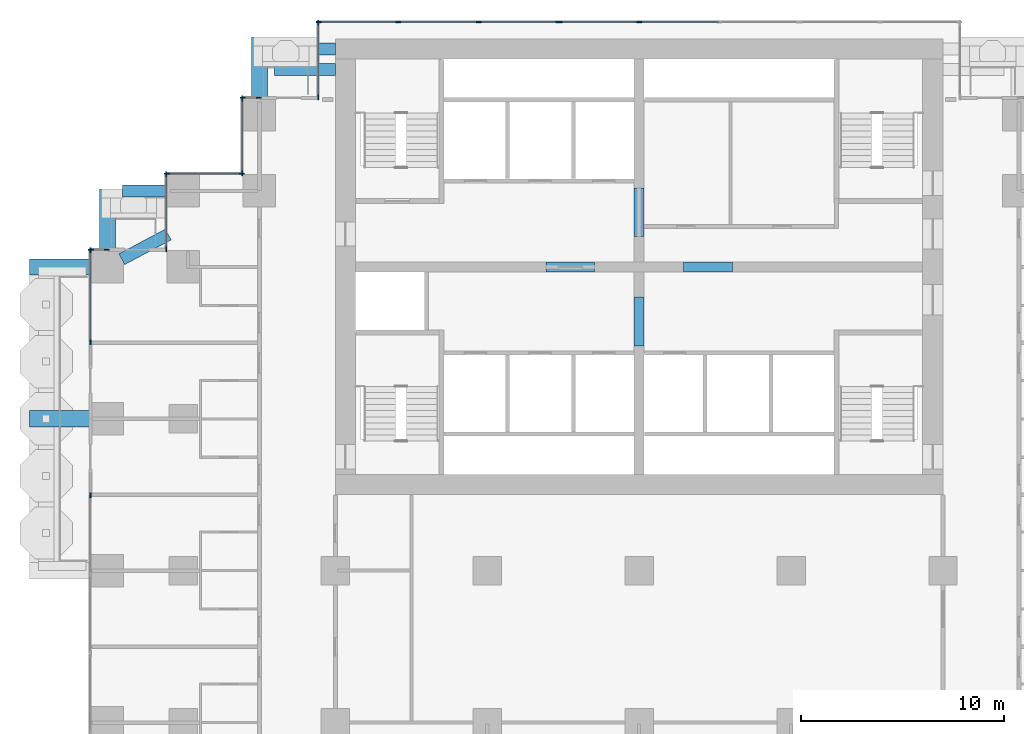
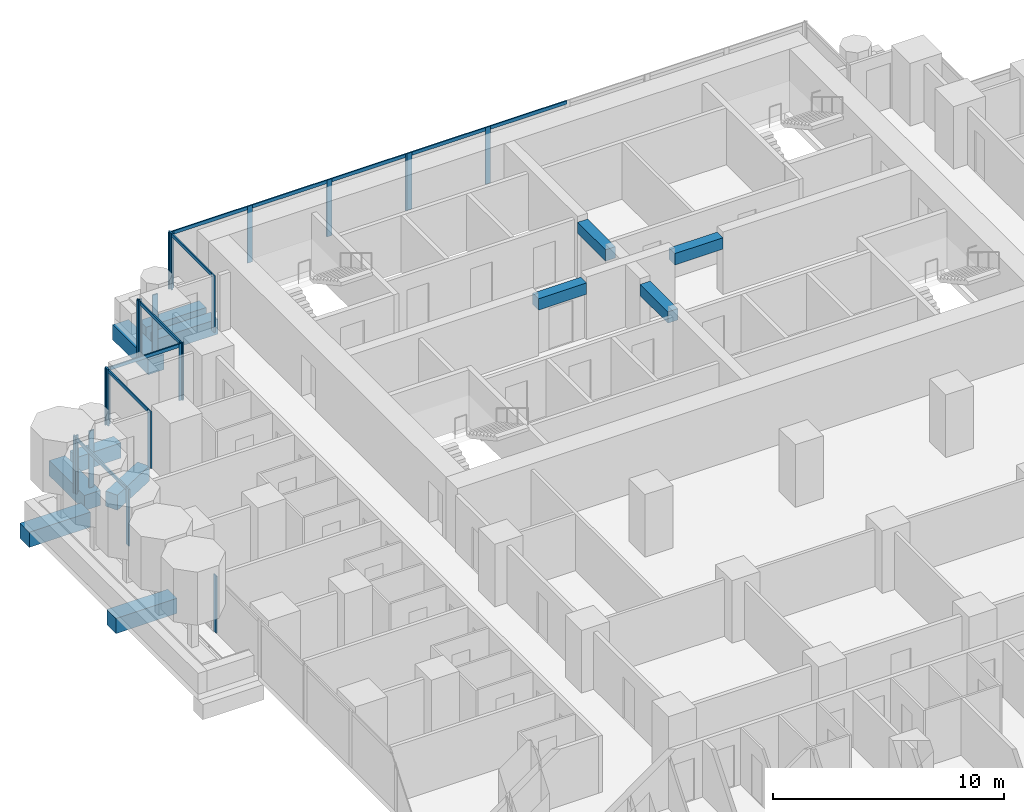
# One storey, part 4 of 18: 31 members, 12 beams, 10 elements without a shape of their own.
"""IFC4 building model written with IfcOpenShell, lengths in metres."""

import ifcopenshell
import ifcopenshell.guid

model = None  # the IFC model being written
_history = None  # IfcOwnerHistory: only IFC2X3 demands one
_inside = {}  # id of a spatial element -> (the spatial element, [elements in it])
_under = {}  # id of a project, library or spatial element -> (it, [spatial elements below it])
_declared = {}  # id of a project -> (the project, [libraries it declares])
_typed = {}  # id of a type object -> (the type object, [elements of that type])
_made_of = {}  # id of a material, layer set ... -> (it, [elements and type objects made of it])


def new_model(schema):
    """Start an empty IFC model of exactly this schema.

    Asked for "IFC4X3", IfcOpenShell would pick the latest addendum, in which some entities
    have other attributes; the version numbers below select the first issue.
    IFC2X3 requires an IfcOwnerHistory on every rooted entity: one is made here for all.
    """
    global model, _history
    if schema == "IFC4X3":
        model = ifcopenshell.file(schema_version=(4, 3, 0, 0))
    else:
        model = ifcopenshell.file(schema=schema)
    _inside.clear()
    _under.clear()
    _declared.clear()
    _typed.clear()
    _made_of.clear()
    _history = None
    if model.schema == "IFC2X3":
        org = make("IfcOrganization", Name="unknown")
        user = make(
            "IfcPersonAndOrganization",
            ThePerson=make("IfcPerson", FamilyName="unknown"),
            TheOrganization=org,
        )
        app = make(
            "IfcApplication",
            ApplicationDeveloper=org,
            Version="unknown",
            ApplicationFullName="unknown",
            ApplicationIdentifier="unknown",
        )
        _history = make(
            "IfcOwnerHistory",
            OwningUser=user,
            OwningApplication=app,
            ChangeAction="ADDED",
            CreationDate=0,
        )
    return model


def make(cls, **values):
    """One entity of the class cls with the attributes given. An attribute that is None is left unset."""
    return model.create_entity(
        cls, **{name: value for name, value in values.items() if value is not None}
    )


def rooted(cls, **values):
    """An entity with a GlobalId (a new one), such as an element, a storey or a relation."""
    return make(cls, GlobalId=ifcopenshell.guid.new(), OwnerHistory=_history, **values)


def si_unit(unit_type, name, prefix=None):
    """IfcSIUnit, for example si_unit("LENGTHUNIT", "METRE", prefix="MILLI")."""
    return make("IfcSIUnit", UnitType=unit_type, Prefix=prefix, Name=name)


def assignment(units):
    """IfcUnitAssignment: the units of a project."""
    return None if units is None else make("IfcUnitAssignment", Units=units)


def point(xyz):
    """IfcCartesianPoint."""
    return None if xyz is None else make("IfcCartesianPoint", Coordinates=xyz)


def direction(xyz):
    """IfcDirection."""
    return None if xyz is None else make("IfcDirection", DirectionRatios=xyz)


def frame(location, z_axis=None, x_axis=None):
    """IfcAxis2Placement3D, a coordinate frame: its origin and axes. An axis left out is left unset."""
    return make(
        "IfcAxis2Placement3D",
        Location=point(location),
        Axis=direction(z_axis),
        RefDirection=direction(x_axis),
    )


def frame_2d(location, x_axis=None):
    """IfcAxis2Placement2D, a coordinate frame in the plane: its origin and x axis."""
    return make(
        "IfcAxis2Placement2D", Location=point(location), RefDirection=direction(x_axis)
    )


def origin():
    """The frame at (0, 0, 0) with its axes left unset."""
    return frame((0.0, 0.0, 0.0))


def origin_2d():
    """The frame at (0, 0) in the plane with its x axis left unset."""
    return frame_2d((0.0, 0.0))


def place(relative_to, where):
    """IfcLocalPlacement: puts the frame where relative to a parent placement (None: the world)."""
    return make(
        "IfcLocalPlacement", PlacementRelTo=relative_to, RelativePlacement=where
    )


def context(
    kind, dimensions, precision=None, world=None, true_north=None, identifier=None
):
    """IfcGeometricRepresentationContext, for example the 3D "Model" context."""
    return make(
        "IfcGeometricRepresentationContext",
        ContextIdentifier=identifier,
        ContextType=kind,
        CoordinateSpaceDimension=dimensions,
        Precision=precision,
        WorldCoordinateSystem=world,
        TrueNorth=true_north,
    )


def subcontext(parent, identifier, kind, view, scale=None):
    """IfcGeometricRepresentationSubContext, for example "Body" below "Model"."""
    return make(
        "IfcGeometricRepresentationSubContext",
        ContextIdentifier=identifier,
        ContextType=kind,
        ParentContext=parent,
        TargetScale=scale,
        TargetView=view,
    )


def project(units=None, contexts=None):
    """IfcProject with its units and contexts."""
    return rooted(
        "IfcProject",
        Name="project",
        RepresentationContexts=contexts,
        UnitsInContext=assignment(units),
    )


def spatial(cls, under=None, at=None, **own):
    """A site, building, storey or space (cls), placed at a placement, below another one or the project."""
    s = rooted(cls, ObjectPlacement=at, **own)
    if under is not None:
        _under.setdefault(under.id(), (under, []))[1].append(s)
    return s


def profile(cls, at=None, kind="AREA", **sizes):
    """A parametric profile (cls). Its sizes go by their IFC names, for example OverallWidth=200.0."""
    return make(cls, ProfileType=kind, Position=at, **sizes)


def rectangle(**sizes):
    """IfcRectangleProfileDef."""
    return profile("IfcRectangleProfileDef", **sizes)


def extrude(swept, where, along, depth):
    """IfcExtrudedAreaSolid: the profile swept, set in the frame where, extruded along a direction by depth."""
    return make(
        "IfcExtrudedAreaSolid",
        SweptArea=swept,
        Position=where,
        ExtrudedDirection=direction(along),
        Depth=depth,
    )


def shape(context_of_items, identifier, shape_type, items):
    """IfcShapeRepresentation: the items that make up one representation, for example the "Body"."""
    return make(
        "IfcShapeRepresentation",
        ContextOfItems=context_of_items,
        RepresentationIdentifier=identifier,
        RepresentationType=shape_type,
        Items=items,
    )


def material(Name=None, Category=None):
    """IfcMaterial."""
    return make("IfcMaterial", Name=Name, Category=Category)


def material_profile(
    of_material, cross_section, Name=None, Category=None, Priority=None
):
    """IfcMaterialProfile: a cross section and its material."""
    return make(
        "IfcMaterialProfile",
        Name=Name,
        Material=of_material,
        Profile=cross_section,
        Priority=Priority,
        Category=Category,
    )


def profile_set(profiles, Name=None, composite=None):
    """IfcMaterialProfileSet."""
    return make(
        "IfcMaterialProfileSet",
        Name=Name,
        MaterialProfiles=profiles,
        CompositeProfile=composite,
    )


def made_of(thing, what):
    """Note that an element or type object is made of a material, layer set ...; save() writes the relation."""
    if what is not None:
        _made_of.setdefault(what.id(), (what, []))[1].append(thing)
    return thing


def type_object(cls, material=None, **own):
    """A type object (cls), such as IfcWallType, which elements share."""
    return made_of(rooted(cls, **own), material)


def element(
    cls,
    number,
    at=None,
    inside=None,
    cuts=None,
    type_object=None,
    material=None,
    context=None,
    identifier="Body",
    shape_type=None,
    held_by="IfcProductDefinitionShape",
    body=None,
    shapes=None,
    **own,
):
    """One element of the class cls, such as IfcWall. Its Tag is "e" and its number.

    at: its placement. inside: the storey or other place that contains it. cuts: it is an
    opening in that element (IfcRelVoidsElement). A single representation is given by context,
    identifier, shape_type and body (its items); several are given by shapes. held_by: the class
    of the entity that holds the representations. save() writes the other relations.
    """
    e = rooted(cls, Tag="e%d" % number, ObjectPlacement=at, **own)
    if body is not None:
        shapes = [shape(context, identifier, shape_type, body)]
    if shapes is not None:
        e.Representation = make(held_by, Representations=shapes)
    if inside is not None:
        _inside.setdefault(inside.id(), (inside, []))[1].append(e)
    if cuts is not None:
        rooted(
            "IfcRelVoidsElement", RelatingBuildingElement=cuts, RelatedOpeningElement=e
        )
    if type_object is not None:
        _typed.setdefault(type_object.id(), (type_object, []))[1].append(e)
    return made_of(e, material)


def aggregate(whole, parts):
    """IfcRelAggregates: a whole, such as a stair, and the parts it consists of."""
    return rooted("IfcRelAggregates", RelatingObject=whole, RelatedObjects=parts)


def save(model, path):
    """Write the relations noted so far, then the file.

    IfcRelAggregates (storeys below a building ...), IfcRelContainedInSpatialStructure (elements
    in a storey), IfcRelDefinesByType, IfcRelAssociatesMaterial and IfcRelDeclares: one each for
    every whole, place, type object, material and project.
    """
    for whole, parts in _under.values():
        aggregate(whole, parts)
    for where, things in _inside.values():
        rooted(
            "IfcRelContainedInSpatialStructure",
            RelatedElements=things,
            RelatingStructure=where,
        )
    for kind, things in _typed.values():
        rooted("IfcRelDefinesByType", RelatedObjects=things, RelatingType=kind)
    for what, things in _made_of.values():
        rooted("IfcRelAssociatesMaterial", RelatedObjects=things, RelatingMaterial=what)
    for by, libraries in _declared.values():
        rooted("IfcRelDeclares", RelatingContext=by, RelatedDefinitions=libraries)
    model.write(path)


model = new_model("IFC4")

# Units and contexts
model_context = context("Model", 3, precision=1e-05, world=origin(), true_north=direction((0.0, 1.0)))
body_context = subcontext(model_context, "Body", "Model", "MODEL_VIEW")
ifc_project = project(units=[si_unit("LENGTHUNIT", "METRE"), si_unit("AREAUNIT", "SQUARE_METRE"), si_unit("VOLUMEUNIT", "CUBIC_METRE"), si_unit("PLANEANGLEUNIT", "RADIAN"), si_unit("MASSUNIT", "GRAM", prefix="KILO")], contexts=[model_context])

# Site, building, storey
site_placement = place(None, origin())
site = spatial("IfcSite", under=ifc_project, at=site_placement, CompositionType="ELEMENT")
building_placement = place(site_placement, origin())
building = spatial("IfcBuilding", under=site, at=building_placement, Name="Pilkhan Gate Tower", CompositionType="ELEMENT")
storey_placement = place(building_placement, frame((0.0, 0.0, 42.800048828125)))
storey = spatial("IfcBuildingStorey", under=building, at=storey_placement, Name="L07", CompositionType="ELEMENT", Elevation=42.800048828125)

# Beams
ifc_material_1 = material(Name="Concrete C50/60", Category="concrete")
ifc_material_profile_1 = material_profile(ifc_material_1, rectangle(XDim=0.60009765625, YDim=0.800048828125, at=origin_2d()), Name="RC 600x800")
ifc_profile_set_1 = profile_set([ifc_material_profile_1], Name="Concrete C50/60")
beam_type_1 = type_object("IfcBeamType", Name="Cantilever beam CB1 RC 600x800 C50/60", PredefinedType="BEAM", material=ifc_profile_set_1)
for number, where, z_axis, x_axis, name in (
    (1, (60.0, 93.25, -0.699951171875), (-1.0, 0.0, 0.0), (0.0, -1.0, 0.0), "Balcony beam NW.2 L07"),
    (2, (60.0, 92.25, -0.699951171875), (-1.0, 0.0, 0.0), (0.0, -1.0, 0.0), "Balcony beam NW.3 L07"),
):
    element("IfcBeam", number, at=place(storey_placement, frame(where, z_axis=z_axis, x_axis=x_axis)), inside=storey, type_object=beam_type_1, Name=name, PredefinedType="BEAM", context=body_context, shape_type="SweptSolid", body=[
        extrude(rectangle(XDim=0.60009765625, YDim=0.800048828125, at=origin_2d()), origin(), (0.0, 0.0, 1.0), 3.0),
    ])
beam_1_placement = place(storey_placement, frame((51.699951171875, 86.25, -0.699951171875), z_axis=(-1.0, 0.0, 0.0), x_axis=(0.0, -1.0, 0.0)))
element("IfcBeam", 3, at=beam_1_placement, inside=storey, type_object=beam_type_1, Name="Balcony beam NW2.2 L07", PredefinedType="BEAM", context=body_context, shape_type="SweptSolid", body=[
    extrude(rectangle(XDim=0.60009765625, YDim=0.800048828125, at=origin_2d()), origin(), (0.0, 0.0, 1.0), 2.199951171875),
])
beam_2_placement = place(storey_placement, frame((49.455810546875, 82.87646484375, -0.699951171875), z_axis=(0.882342544151, 0.470607729199, 0.0), x_axis=(-0.470607729199, 0.882342544151, 0.0)))
element("IfcBeam", 4, at=beam_2_placement, inside=storey, type_object=beam_type_1, Name="Balcony beam NW2.3 L07", PredefinedType="BEAM", context=body_context, shape_type="SweptSolid", body=[
    extrude(rectangle(XDim=0.60009765625, YDim=0.800048828125, at=origin_2d()), origin(), (0.0, 0.0, 1.0), 2.60009765625),
])
ifc_material_profile_2 = material_profile(ifc_material_1, rectangle(XDim=0.800048828125, YDim=0.800048828125, at=origin_2d()), Name="RC 800x800")
ifc_profile_set_2 = profile_set([ifc_material_profile_2], Name="Concrete C50/60")
beam_type_2 = type_object("IfcBeamType", Name="Cantilever beam CB2 RC 800x800 C50/60", PredefinedType="BEAM", material=ifc_profile_set_2)
for number, where, z_axis, x_axis, name in (
    (5, (56.25, 90.800048828125, -0.699951171875), (0.0, 1.0, 0.0), (-1.0, 0.0, 0.0), "Balcony beam NW.1 L07"),
    (6, (48.75, 83.300048828125, -0.699951171875), (0.0, 1.0, 0.0), (-1.0, 0.0, 0.0), "Balcony beam NW2.1 L07"),
    (7, (47.949951171875, 75.0, -0.699951171875), (-1.0, 0.0, 0.0), (0.0, -1.0, 0.0), "Balcony beam W.2 L07"),
    (8, (47.949951171875, 82.5, -0.699951171875), (-1.0, 0.0, 0.0), (0.0, -1.0, 0.0), "Balcony beam W.3 L07"),
):
    element("IfcBeam", number, at=place(storey_placement, frame(where, z_axis=z_axis, x_axis=x_axis)), inside=storey, type_object=beam_type_2, Name=name, PredefinedType="BEAM", context=body_context, shape_type="SweptSolid", body=[
        extrude(rectangle(XDim=0.800048828125, YDim=0.800048828125, at=origin_2d()), origin(), (0.0, 0.0, 1.0), 3.050048828125),
    ])
ifc_material_2 = material(Name="Concrete C70/85", Category="concrete")
ifc_material_profile_3 = material_profile(ifc_material_2, rectangle(XDim=0.5, YDim=0.60009765625, at=origin_2d()), Name="RC 500x600")
ifc_profile_set_3 = profile_set([ifc_material_profile_3], Name="Concrete C70/85")
beam_type_3 = type_object("IfcBeamType", Name="Coupling beam CB60 RC 500x600 C70/85", PredefinedType="LINTEL", material=ifc_profile_set_3)
for number, where, z_axis, x_axis, name in (
    (9, (70.39990234375, 82.5, 2.699951171875), (1.0, 0.0, 0.0), (0.0, 1.0, 0.0), "Coupling beam 1 L07"),
    (10, (77.199951171875, 82.5, 2.699951171875), (1.0, 0.0, 0.0), (0.0, 1.0, 0.0), "Coupling beam 2 L07"),
):
    element("IfcBeam", number, at=place(storey_placement, frame(where, z_axis=z_axis, x_axis=x_axis)), inside=storey, type_object=beam_type_3, Name=name, PredefinedType="LINTEL", context=body_context, shape_type="SweptSolid", body=[
        extrude(rectangle(XDim=0.5, YDim=0.60009765625, at=origin_2d()), origin(), (0.0, 0.0, 1.0), 2.400146484375),
    ])
for number, where, z_axis, x_axis, name in (
    (11, (75.0, 78.60009765625, 2.699951171875), (0.0, 1.0, 0.0), (-1.0, 0.0, 0.0), "Coupling beam 3 L07"),
    (12, (75.0, 84.0, 2.699951171875), (0.0, 1.0, 0.0), (-1.0, 0.0, 0.0), "Coupling beam 4 L07"),
):
    element("IfcBeam", number, at=place(storey_placement, frame(where, z_axis=z_axis, x_axis=x_axis)), inside=storey, type_object=beam_type_3, Name=name, PredefinedType="LINTEL", context=body_context, shape_type="SweptSolid", body=[
        extrude(rectangle(XDim=0.5, YDim=0.60009765625, at=origin_2d()), origin(), (0.0, 0.0, 1.0), 2.39990234375),
    ])

# Curtain wall, members
ifc_material_3 = material(Name="Pale anodised aluminium, clear low-iron double glazing", Category="aluminium")
curtain_wall_type = type_object("IfcCurtainWallType", Name="Hotel unitised curtain wall CW-H", PredefinedType="USERDEFINED", material=ifc_material_3)
curtain_wall_1_placement = place(storey_placement, origin())
curtain_wall_1 = element("IfcCurtainWall", 13, at=curtain_wall_1_placement, inside=storey, type_object=curtain_wall_type, Name="Hotel unitised curtain wall CW-H L07 N", ObjectType="UNITISED CURTAIN WALL", PredefinedType="USERDEFINED")
ifc_material_4 = material(Name="Pale anodised aluminium", Category="aluminium")
ifc_material_profile_4 = material_profile(ifc_material_4, rectangle(XDim=0.06494140625, YDim=0.25, at=origin_2d()), Name="Mullion 250x65")
ifc_profile_set_4 = profile_set([ifc_material_profile_4], Name="Pale anodised aluminium")
member_type_1 = type_object("IfcMemberType", Name="Mullion CW-H 250x65", PredefinedType="MULLION", material=ifc_profile_set_4)
member_1_placement = place(storey_placement, frame((59.1875, 94.594970703125, 0.0), z_axis=(0.0, 0.0, 1.0), x_axis=(0.0, 1.0, 0.0)))
member_1 = element("IfcMember", 14, at=member_1_placement, type_object=member_type_1, Name="CW-H mullion 1", PredefinedType="MULLION", context=body_context, shape_type="SweptSolid", body=[
    extrude(rectangle(XDim=0.06494140625, YDim=0.25, at=origin_2d()), origin(), (0.0, 0.0, 1.0), 3.0),
])
member_2_placement = place(storey_placement, frame((63.1162109375, 94.594970703125, 0.0), z_axis=(0.0, 0.0, 1.0), x_axis=(0.0, 1.0, 0.0)))
member_2 = element("IfcMember", 15, at=member_2_placement, type_object=member_type_1, Name="CW-H mullion 2", PredefinedType="MULLION", context=body_context, shape_type="SweptSolid", body=[
    extrude(rectangle(XDim=0.06494140625, YDim=0.25, at=origin_2d()), origin(), (0.0, 0.0, 1.0), 3.0),
])
member_3_placement = place(storey_placement, frame((67.077392578125, 94.594970703125, 0.0), z_axis=(0.0, 0.0, 1.0), x_axis=(0.0, 1.0, 0.0)))
member_3 = element("IfcMember", 16, at=member_3_placement, type_object=member_type_1, Name="CW-H mullion 3", PredefinedType="MULLION", context=body_context, shape_type="SweptSolid", body=[
    extrude(rectangle(XDim=0.06494140625, YDim=0.25, at=origin_2d()), origin(), (0.0, 0.0, 1.0), 3.0),
])
member_4_placement = place(storey_placement, frame((71.00634765625, 94.594970703125, 0.0), z_axis=(0.0, 0.0, 1.0), x_axis=(0.0, 1.0, 0.0)))
member_4 = element("IfcMember", 17, at=member_4_placement, type_object=member_type_1, Name="CW-H mullion 4", PredefinedType="MULLION", context=body_context, shape_type="SweptSolid", body=[
    extrude(rectangle(XDim=0.06494140625, YDim=0.25, at=origin_2d()), origin(), (0.0, 0.0, 1.0), 3.0),
])

curtain_wall_2_placement = place(storey_placement, origin())
curtain_wall_2 = element("IfcCurtainWall", 18, at=curtain_wall_2_placement, inside=storey, type_object=curtain_wall_type, Name="Hotel unitised curtain wall CW-H L07 N", ObjectType="UNITISED CURTAIN WALL", PredefinedType="USERDEFINED")
member_5_placement = place(storey_placement, frame((71.0712890625, 94.594970703125, 0.0), z_axis=(0.0, 0.0, 1.0), x_axis=(0.0, 1.0, 0.0)))
member_5 = element("IfcMember", 19, at=member_5_placement, type_object=member_type_1, Name="CW-H mullion 1", PredefinedType="MULLION", context=body_context, shape_type="SweptSolid", body=[
    extrude(rectangle(XDim=0.06494140625, YDim=0.25, at=origin_2d()), origin(), (0.0, 0.0, 1.0), 3.0),
])
member_6_placement = place(storey_placement, frame((75.0, 94.594970703125, 0.0), z_axis=(0.0, 0.0, 1.0), x_axis=(0.0, 1.0, 0.0)))
member_6 = element("IfcMember", 20, at=member_6_placement, type_object=member_type_1, Name="CW-H mullion 2", PredefinedType="MULLION", context=body_context, shape_type="SweptSolid", body=[
    extrude(rectangle(XDim=0.06494140625, YDim=0.25, at=origin_2d()), origin(), (0.0, 0.0, 1.0), 3.0),
])

curtain_wall_3_placement = place(storey_placement, origin())
curtain_wall_3 = element("IfcCurtainWall", 21, at=curtain_wall_3_placement, inside=storey, type_object=curtain_wall_type, Name="Hotel unitised curtain wall CW-H L07 W", ObjectType="UNITISED CURTAIN WALL", PredefinedType="USERDEFINED")
member_7_placement = place(storey_placement, frame((59.155029296875, 90.87744140625, 0.0), z_axis=(0.0, 0.0, 1.0), x_axis=(-1.0, 0.0, 0.0)))
member_7 = element("IfcMember", 22, at=member_7_placement, type_object=member_type_1, Name="CW-H mullion 1", PredefinedType="MULLION", context=body_context, shape_type="SweptSolid", body=[
    extrude(rectangle(XDim=0.06494140625, YDim=0.25, at=origin_2d()), origin(), (0.0, 0.0, 1.0), 3.0),
])
member_8_placement = place(storey_placement, frame((59.155029296875, 94.5625, 0.0), z_axis=(0.0, 0.0, 1.0), x_axis=(-1.0, 0.0, 0.0)))
member_8 = element("IfcMember", 23, at=member_8_placement, type_object=member_type_1, Name="CW-H mullion 2", PredefinedType="MULLION", context=body_context, shape_type="SweptSolid", body=[
    extrude(rectangle(XDim=0.06494140625, YDim=0.25, at=origin_2d()), origin(), (0.0, 0.0, 1.0), 3.0),
])

curtain_wall_4_placement = place(storey_placement, origin())
curtain_wall_4 = element("IfcCurtainWall", 24, at=curtain_wall_4_placement, inside=storey, type_object=curtain_wall_type, Name="Hotel unitised curtain wall CW-H L07 N", ObjectType="UNITISED CURTAIN WALL", PredefinedType="USERDEFINED")
member_9_placement = place(storey_placement, frame((55.4375, 90.844970703125, 0.0), z_axis=(0.0, 0.0, 1.0), x_axis=(0.0, 1.0, 0.0)))
member_9 = element("IfcMember", 25, at=member_9_placement, type_object=member_type_1, Name="CW-H mullion 1", PredefinedType="MULLION", context=body_context, shape_type="SweptSolid", body=[
    extrude(rectangle(XDim=0.06494140625, YDim=0.25, at=origin_2d()), origin(), (0.0, 0.0, 1.0), 3.0),
])
member_10_placement = place(storey_placement, frame((56.217529296875, 90.844970703125, 0.0), z_axis=(0.0, 0.0, 1.0), x_axis=(0.0, 1.0, 0.0)))
member_10 = element("IfcMember", 26, at=member_10_placement, type_object=member_type_1, Name="CW-H mullion 2", PredefinedType="MULLION", context=body_context, shape_type="SweptSolid", body=[
    extrude(rectangle(XDim=0.06494140625, YDim=0.25, at=origin_2d()), origin(), (0.0, 0.0, 1.0), 3.0),
])
aggregate(curtain_wall_4, [member_9, member_10])

curtain_wall_5_placement = place(storey_placement, origin())
curtain_wall_5 = element("IfcCurtainWall", 27, at=curtain_wall_5_placement, inside=storey, type_object=curtain_wall_type, Name="Hotel unitised curtain wall CW-H L07 W", ObjectType="UNITISED CURTAIN WALL", PredefinedType="USERDEFINED")
member_11_placement = place(storey_placement, frame((55.405029296875, 87.12744140625, 0.0), z_axis=(0.0, 0.0, 1.0), x_axis=(-1.0, 0.0, 0.0)))
member_11 = element("IfcMember", 28, at=member_11_placement, type_object=member_type_1, Name="CW-H mullion 1", PredefinedType="MULLION", context=body_context, shape_type="SweptSolid", body=[
    extrude(rectangle(XDim=0.06494140625, YDim=0.25, at=origin_2d()), origin(), (0.0, 0.0, 1.0), 3.0),
])
member_12_placement = place(storey_placement, frame((55.405029296875, 90.8125, 0.0), z_axis=(0.0, 0.0, 1.0), x_axis=(-1.0, 0.0, 0.0)))
member_12 = element("IfcMember", 29, at=member_12_placement, type_object=member_type_1, Name="CW-H mullion 2", PredefinedType="MULLION", context=body_context, shape_type="SweptSolid", body=[
    extrude(rectangle(XDim=0.06494140625, YDim=0.25, at=origin_2d()), origin(), (0.0, 0.0, 1.0), 3.0),
])

curtain_wall_6_placement = place(storey_placement, origin())
curtain_wall_6 = element("IfcCurtainWall", 30, at=curtain_wall_6_placement, inside=storey, type_object=curtain_wall_type, Name="Hotel unitised curtain wall CW-H L07 N", ObjectType="UNITISED CURTAIN WALL", PredefinedType="USERDEFINED")
member_13_placement = place(storey_placement, frame((51.6875, 87.094970703125, 0.0), z_axis=(0.0, 0.0, 1.0), x_axis=(0.0, 1.0, 0.0)))
member_13 = element("IfcMember", 31, at=member_13_placement, type_object=member_type_1, Name="CW-H mullion 1", PredefinedType="MULLION", context=body_context, shape_type="SweptSolid", body=[
    extrude(rectangle(XDim=0.06494140625, YDim=0.25, at=origin_2d()), origin(), (0.0, 0.0, 1.0), 3.0),
])
member_14_placement = place(storey_placement, frame((55.37255859375, 87.094970703125, 0.0), z_axis=(0.0, 0.0, 1.0), x_axis=(0.0, 1.0, 0.0)))
member_14 = element("IfcMember", 32, at=member_14_placement, type_object=member_type_1, Name="CW-H mullion 2", PredefinedType="MULLION", context=body_context, shape_type="SweptSolid", body=[
    extrude(rectangle(XDim=0.06494140625, YDim=0.25, at=origin_2d()), origin(), (0.0, 0.0, 1.0), 3.0),
])

curtain_wall_7_placement = place(storey_placement, origin())
curtain_wall_7 = element("IfcCurtainWall", 33, at=curtain_wall_7_placement, inside=storey, type_object=curtain_wall_type, Name="Hotel unitised curtain wall CW-H L07 W", ObjectType="UNITISED CURTAIN WALL", PredefinedType="USERDEFINED")
member_15_placement = place(storey_placement, frame((51.655029296875, 83.37744140625, 0.0), z_axis=(0.0, 0.0, 1.0), x_axis=(-1.0, 0.0, 0.0)))
member_15 = element("IfcMember", 34, at=member_15_placement, type_object=member_type_1, Name="CW-H mullion 1", PredefinedType="MULLION", context=body_context, shape_type="SweptSolid", body=[
    extrude(rectangle(XDim=0.06494140625, YDim=0.25, at=origin_2d()), origin(), (0.0, 0.0, 1.0), 3.0),
])
member_16_placement = place(storey_placement, frame((51.655029296875, 87.0625, 0.0), z_axis=(0.0, 0.0, 1.0), x_axis=(-1.0, 0.0, 0.0)))
member_16 = element("IfcMember", 35, at=member_16_placement, type_object=member_type_1, Name="CW-H mullion 2", PredefinedType="MULLION", context=body_context, shape_type="SweptSolid", body=[
    extrude(rectangle(XDim=0.06494140625, YDim=0.25, at=origin_2d()), origin(), (0.0, 0.0, 1.0), 3.0),
])

curtain_wall_8_placement = place(storey_placement, origin())
curtain_wall_8 = element("IfcCurtainWall", 36, at=curtain_wall_8_placement, inside=storey, type_object=curtain_wall_type, Name="Hotel unitised curtain wall CW-H L07 N", ObjectType="UNITISED CURTAIN WALL", PredefinedType="USERDEFINED")
member_17_placement = place(storey_placement, frame((47.9375, 83.344970703125, 0.0), z_axis=(0.0, 0.0, 1.0), x_axis=(0.0, 1.0, 0.0)))
member_17 = element("IfcMember", 37, at=member_17_placement, type_object=member_type_1, Name="CW-H mullion 1", PredefinedType="MULLION", context=body_context, shape_type="SweptSolid", body=[
    extrude(rectangle(XDim=0.06494140625, YDim=0.25, at=origin_2d()), origin(), (0.0, 0.0, 1.0), 3.0),
])
member_18_placement = place(storey_placement, frame((48.717529296875, 83.344970703125, 0.0), z_axis=(0.0, 0.0, 1.0), x_axis=(0.0, 1.0, 0.0)))
member_18 = element("IfcMember", 38, at=member_18_placement, type_object=member_type_1, Name="CW-H mullion 2", PredefinedType="MULLION", context=body_context, shape_type="SweptSolid", body=[
    extrude(rectangle(XDim=0.06494140625, YDim=0.25, at=origin_2d()), origin(), (0.0, 0.0, 1.0), 3.0),
])
aggregate(curtain_wall_8, [member_17, member_18])

# Curtain wall, member
curtain_wall_9_placement = place(storey_placement, origin())
curtain_wall_9 = element("IfcCurtainWall", 39, at=curtain_wall_9_placement, inside=storey, type_object=curtain_wall_type, Name="Hotel unitised curtain wall CW-H L07 W", ObjectType="UNITISED CURTAIN WALL", PredefinedType="USERDEFINED")
member_19_placement = place(storey_placement, frame((47.905029296875, 71.217529296875, 0.0), z_axis=(0.0, 0.0, 1.0), x_axis=(-1.0, 0.0, 0.0)))
member_19 = element("IfcMember", 40, at=member_19_placement, type_object=member_type_1, Name="CW-H mullion 3", PredefinedType="MULLION", context=body_context, shape_type="SweptSolid", body=[
    extrude(rectangle(XDim=0.06494140625, YDim=0.25, at=origin_2d()), origin(), (0.0, 0.0, 1.0), 3.0),
])
aggregate(curtain_wall_9, [member_19])

# Curtain wall, members
curtain_wall_10_placement = place(storey_placement, origin())
curtain_wall_10 = element("IfcCurtainWall", 41, at=curtain_wall_10_placement, inside=storey, type_object=curtain_wall_type, Name="Hotel unitised curtain wall CW-H L07 W", ObjectType="UNITISED CURTAIN WALL", PredefinedType="USERDEFINED")
member_20_placement = place(storey_placement, frame((47.905029296875, 78.782470703125, 0.0), z_axis=(0.0, 0.0, 1.0), x_axis=(-1.0, 0.0, 0.0)))
member_20 = element("IfcMember", 42, at=member_20_placement, type_object=member_type_1, Name="CW-H mullion 1", PredefinedType="MULLION", context=body_context, shape_type="SweptSolid", body=[
    extrude(rectangle(XDim=0.06494140625, YDim=0.25, at=origin_2d()), origin(), (0.0, 0.0, 1.0), 3.0),
])
member_21_placement = place(storey_placement, frame((47.905029296875, 83.3125, 0.0), z_axis=(0.0, 0.0, 1.0), x_axis=(-1.0, 0.0, 0.0)))
member_21 = element("IfcMember", 43, at=member_21_placement, type_object=member_type_1, Name="CW-H mullion 2", PredefinedType="MULLION", context=body_context, shape_type="SweptSolid", body=[
    extrude(rectangle(XDim=0.06494140625, YDim=0.25, at=origin_2d()), origin(), (0.0, 0.0, 1.0), 3.0),
])

# Member
ifc_material_profile_5 = material_profile(ifc_material_4, rectangle(XDim=0.06494140625, YDim=0.179931640625, at=origin_2d()), Name="Transom 180x65")
ifc_profile_set_5 = profile_set([ifc_material_profile_5], Name="Pale anodised aluminium")
member_type_2 = type_object("IfcMemberType", Name="Transom CW-H 180x65", PredefinedType="USERDEFINED", material=ifc_profile_set_5)
member_22_placement = place(storey_placement, frame((59.219970703125, 94.594970703125, 2.909912109375), z_axis=(1.0, 0.0, 0.0), x_axis=(0.0, 1.0, 0.0)))
member_22 = element("IfcMember", 44, at=member_22_placement, type_object=member_type_2, Name="CW-H transom 1", ObjectType="TRANSOM", PredefinedType="USERDEFINED", context=body_context, shape_type="SweptSolid", body=[
    extrude(rectangle(XDim=0.06494140625, YDim=0.179931640625, at=origin_2d()), origin(), (0.0, 0.0, 1.0), 3.86376953125),
])

member_23_placement = place(storey_placement, frame((63.148681640625, 94.594970703125, 2.909912109375), z_axis=(1.0, 0.0, 0.0), x_axis=(0.0, 1.0, 0.0)))
member_23 = element("IfcMember", 45, at=member_23_placement, type_object=member_type_2, Name="CW-H transom 2", ObjectType="TRANSOM", PredefinedType="USERDEFINED", context=body_context, shape_type="SweptSolid", body=[
    extrude(rectangle(XDim=0.06494140625, YDim=0.179931640625, at=origin_2d()), origin(), (0.0, 0.0, 1.0), 3.896240234375),
])

member_24_placement = place(storey_placement, frame((67.110107421875, 94.594970703125, 2.909912109375), z_axis=(1.0, 0.0, 0.0), x_axis=(0.0, 1.0, 0.0)))
member_24 = element("IfcMember", 46, at=member_24_placement, type_object=member_type_2, Name="CW-H transom 3", ObjectType="TRANSOM", PredefinedType="USERDEFINED", context=body_context, shape_type="SweptSolid", body=[
    extrude(rectangle(XDim=0.06494140625, YDim=0.179931640625, at=origin_2d()), origin(), (0.0, 0.0, 1.0), 3.863525390625),
])

aggregate(curtain_wall_1, [member_1, member_2, member_3, member_4, member_22, member_23, member_24])

member_25_placement = place(storey_placement, frame((71.103759765625, 94.594970703125, 2.909912109375), z_axis=(1.0, 0.0, 0.0), x_axis=(0.0, 1.0, 0.0)))
member_25 = element("IfcMember", 47, at=member_25_placement, type_object=member_type_2, Name="CW-H transom 1", ObjectType="TRANSOM", PredefinedType="USERDEFINED", context=body_context, shape_type="SweptSolid", body=[
    extrude(rectangle(XDim=0.06494140625, YDim=0.179931640625, at=origin_2d()), origin(), (0.0, 0.0, 1.0), 3.86376953125),
])

member_26_placement = place(storey_placement, frame((75.032470703125, 94.594970703125, 2.909912109375), z_axis=(1.0, 0.0, 0.0), x_axis=(0.0, 1.0, 0.0)))
member_26 = element("IfcMember", 48, at=member_26_placement, type_object=member_type_2, Name="CW-H transom 2", ObjectType="TRANSOM", PredefinedType="USERDEFINED", context=body_context, shape_type="SweptSolid", body=[
    extrude(rectangle(XDim=0.06494140625, YDim=0.179931640625, at=origin_2d()), origin(), (0.0, 0.0, 1.0), 3.896240234375),
])

aggregate(curtain_wall_2, [member_5, member_6, member_25, member_26])

member_27_placement = place(storey_placement, frame((59.155029296875, 90.909912109375, 2.909912109375), z_axis=(0.0, 1.0, 0.0), x_axis=(-1.0, 0.0, 0.0)))
member_27 = element("IfcMember", 49, at=member_27_placement, type_object=member_type_2, Name="CW-H transom 1", ObjectType="TRANSOM", PredefinedType="USERDEFINED", context=body_context, shape_type="SweptSolid", body=[
    extrude(rectangle(XDim=0.06494140625, YDim=0.179931640625, at=origin_2d()), origin(), (0.0, 0.0, 1.0), 3.6201171875),
])

aggregate(curtain_wall_3, [member_7, member_8, member_27])

member_28_placement = place(storey_placement, frame((55.405029296875, 87.159912109375, 2.909912109375), z_axis=(0.0, 1.0, 0.0), x_axis=(-1.0, 0.0, 0.0)))
member_28 = element("IfcMember", 50, at=member_28_placement, type_object=member_type_2, Name="CW-H transom 1", ObjectType="TRANSOM", PredefinedType="USERDEFINED", context=body_context, shape_type="SweptSolid", body=[
    extrude(rectangle(XDim=0.06494140625, YDim=0.179931640625, at=origin_2d()), origin(), (0.0, 0.0, 1.0), 3.6201171875),
])

aggregate(curtain_wall_5, [member_11, member_12, member_28])

member_29_placement = place(storey_placement, frame((51.719970703125, 87.094970703125, 2.909912109375), z_axis=(1.0, 0.0, 0.0), x_axis=(0.0, 1.0, 0.0)))
member_29 = element("IfcMember", 51, at=member_29_placement, type_object=member_type_2, Name="CW-H transom 1", ObjectType="TRANSOM", PredefinedType="USERDEFINED", context=body_context, shape_type="SweptSolid", body=[
    extrude(rectangle(XDim=0.06494140625, YDim=0.179931640625, at=origin_2d()), origin(), (0.0, 0.0, 1.0), 3.6201171875),
])

aggregate(curtain_wall_6, [member_13, member_14, member_29])

member_30_placement = place(storey_placement, frame((51.655029296875, 83.409912109375, 2.909912109375), z_axis=(0.0, 1.0, 0.0), x_axis=(-1.0, 0.0, 0.0)))
member_30 = element("IfcMember", 52, at=member_30_placement, type_object=member_type_2, Name="CW-H transom 1", ObjectType="TRANSOM", PredefinedType="USERDEFINED", context=body_context, shape_type="SweptSolid", body=[
    extrude(rectangle(XDim=0.06494140625, YDim=0.179931640625, at=origin_2d()), origin(), (0.0, 0.0, 1.0), 3.6201171875),
])

aggregate(curtain_wall_7, [member_15, member_16, member_30])

member_31_placement = place(storey_placement, frame((47.905029296875, 78.81494140625, 2.909912109375), z_axis=(0.0, 1.0, 0.0), x_axis=(-1.0, 0.0, 0.0)))
member_31 = element("IfcMember", 53, at=member_31_placement, type_object=member_type_2, Name="CW-H transom 1", ObjectType="TRANSOM", PredefinedType="USERDEFINED", context=body_context, shape_type="SweptSolid", body=[
    extrude(rectangle(XDim=0.06494140625, YDim=0.179931640625, at=origin_2d()), origin(), (0.0, 0.0, 1.0), 4.465087890625),
])

aggregate(curtain_wall_10, [member_20, member_21, member_31])

save(model, "model.ifc")
